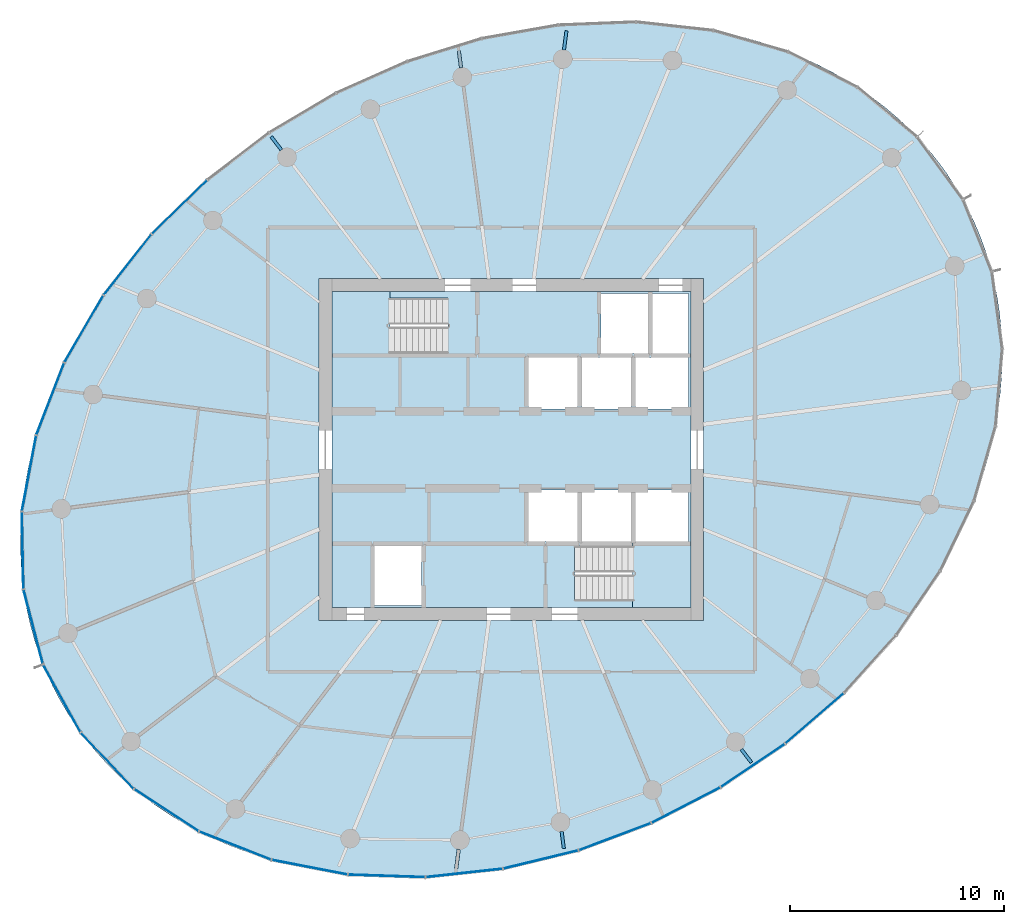
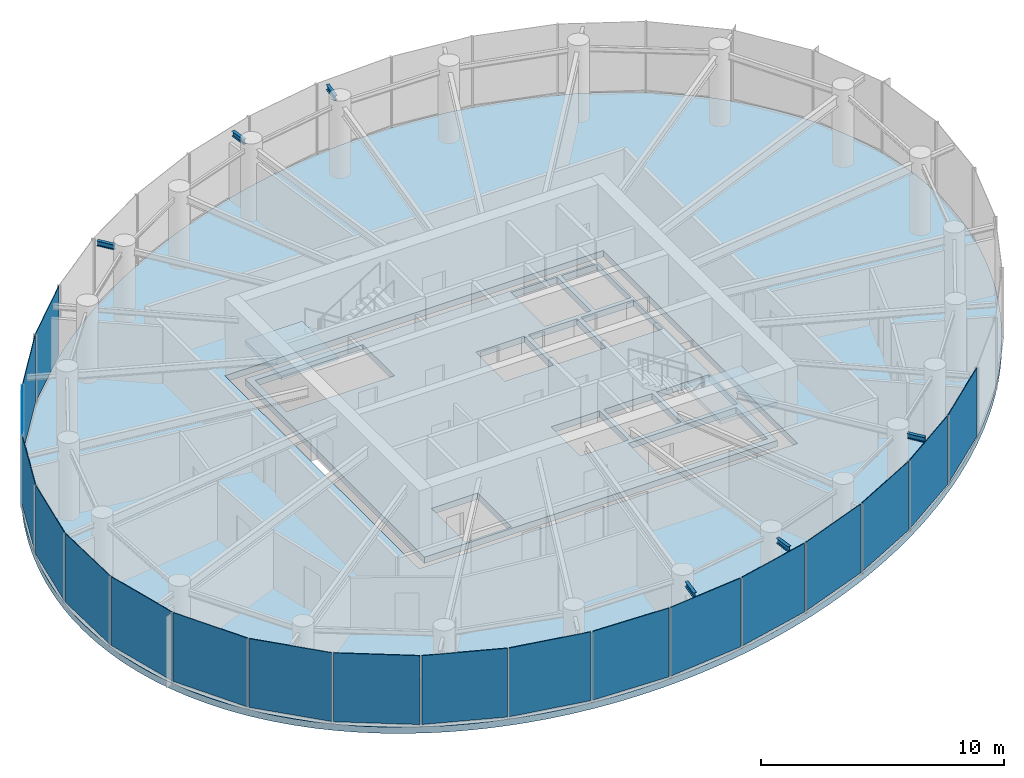
# One storey, part 7 of 13: 19 plates, 6 beams, 4 slabs, 6 elements without a shape of their own.
"""IFC4 building model written with IfcOpenShell, lengths in metres."""

import ifcopenshell
import ifcopenshell.guid

model = None  # the IFC model being written
_history = None  # IfcOwnerHistory: only IFC2X3 demands one
_inside = {}  # id of a spatial element -> (the spatial element, [elements in it])
_under = {}  # id of a project, library or spatial element -> (it, [spatial elements below it])
_declared = {}  # id of a project -> (the project, [libraries it declares])
_typed = {}  # id of a type object -> (the type object, [elements of that type])
_made_of = {}  # id of a material, layer set ... -> (it, [elements and type objects made of it])


def new_model(schema):
    """Start an empty IFC model of exactly this schema.

    Asked for "IFC4X3", IfcOpenShell would pick the latest addendum, in which some entities
    have other attributes; the version numbers below select the first issue.
    IFC2X3 requires an IfcOwnerHistory on every rooted entity: one is made here for all.
    """
    global model, _history
    if schema == "IFC4X3":
        model = ifcopenshell.file(schema_version=(4, 3, 0, 0))
    else:
        model = ifcopenshell.file(schema=schema)
    _inside.clear()
    _under.clear()
    _declared.clear()
    _typed.clear()
    _made_of.clear()
    _history = None
    if model.schema == "IFC2X3":
        org = make("IfcOrganization", Name="unknown")
        user = make(
            "IfcPersonAndOrganization",
            ThePerson=make("IfcPerson", FamilyName="unknown"),
            TheOrganization=org,
        )
        app = make(
            "IfcApplication",
            ApplicationDeveloper=org,
            Version="unknown",
            ApplicationFullName="unknown",
            ApplicationIdentifier="unknown",
        )
        _history = make(
            "IfcOwnerHistory",
            OwningUser=user,
            OwningApplication=app,
            ChangeAction="ADDED",
            CreationDate=0,
        )
    return model


def make(cls, **values):
    """One entity of the class cls with the attributes given. An attribute that is None is left unset."""
    return model.create_entity(
        cls, **{name: value for name, value in values.items() if value is not None}
    )


def rooted(cls, **values):
    """An entity with a GlobalId (a new one), such as an element, a storey or a relation."""
    return make(cls, GlobalId=ifcopenshell.guid.new(), OwnerHistory=_history, **values)


def si_unit(unit_type, name, prefix=None):
    """IfcSIUnit, for example si_unit("LENGTHUNIT", "METRE", prefix="MILLI")."""
    return make("IfcSIUnit", UnitType=unit_type, Prefix=prefix, Name=name)


def assignment(units):
    """IfcUnitAssignment: the units of a project."""
    return None if units is None else make("IfcUnitAssignment", Units=units)


def point(xyz):
    """IfcCartesianPoint."""
    return None if xyz is None else make("IfcCartesianPoint", Coordinates=xyz)


def direction(xyz):
    """IfcDirection."""
    return None if xyz is None else make("IfcDirection", DirectionRatios=xyz)


def frame(location, z_axis=None, x_axis=None):
    """IfcAxis2Placement3D, a coordinate frame: its origin and axes. An axis left out is left unset."""
    return make(
        "IfcAxis2Placement3D",
        Location=point(location),
        Axis=direction(z_axis),
        RefDirection=direction(x_axis),
    )


def frame_2d(location, x_axis=None):
    """IfcAxis2Placement2D, a coordinate frame in the plane: its origin and x axis."""
    return make(
        "IfcAxis2Placement2D", Location=point(location), RefDirection=direction(x_axis)
    )


def origin():
    """The frame at (0, 0, 0) with its axes left unset."""
    return frame((0.0, 0.0, 0.0))


def origin_2d():
    """The frame at (0, 0) in the plane with its x axis left unset."""
    return frame_2d((0.0, 0.0))


def place(relative_to, where):
    """IfcLocalPlacement: puts the frame where relative to a parent placement (None: the world)."""
    return make(
        "IfcLocalPlacement", PlacementRelTo=relative_to, RelativePlacement=where
    )


def context(
    kind, dimensions, precision=None, world=None, true_north=None, identifier=None
):
    """IfcGeometricRepresentationContext, for example the 3D "Model" context."""
    return make(
        "IfcGeometricRepresentationContext",
        ContextIdentifier=identifier,
        ContextType=kind,
        CoordinateSpaceDimension=dimensions,
        Precision=precision,
        WorldCoordinateSystem=world,
        TrueNorth=true_north,
    )


def subcontext(parent, identifier, kind, view, scale=None):
    """IfcGeometricRepresentationSubContext, for example "Body" below "Model"."""
    return make(
        "IfcGeometricRepresentationSubContext",
        ContextIdentifier=identifier,
        ContextType=kind,
        ParentContext=parent,
        TargetScale=scale,
        TargetView=view,
    )


def project(units=None, contexts=None):
    """IfcProject with its units and contexts."""
    return rooted(
        "IfcProject",
        Name="project",
        RepresentationContexts=contexts,
        UnitsInContext=assignment(units),
    )


def spatial(cls, under=None, at=None, **own):
    """A site, building, storey or space (cls), placed at a placement, below another one or the project."""
    s = rooted(cls, ObjectPlacement=at, **own)
    if under is not None:
        _under.setdefault(under.id(), (under, []))[1].append(s)
    return s


def point_list(points):
    """IfcCartesianPointList2D or 3D."""
    cls = (
        "IfcCartesianPointList2D" if len(points[0]) == 2 else "IfcCartesianPointList3D"
    )
    return make(cls, CoordList=points)


def line(*indices):
    """IfcLineIndex: a straight run through numbered points of an indexed curve."""
    return model.create_entity("IfcLineIndex", indices)


def indexed_curve(points, segments=None, self_intersect=None):
    """IfcIndexedPolyCurve: lines and arcs through numbered points (the first is 1)."""
    return make(
        "IfcIndexedPolyCurve",
        Points=point_list(points),
        Segments=segments,
        SelfIntersect=self_intersect,
    )


def profile(cls, at=None, kind="AREA", **sizes):
    """A parametric profile (cls). Its sizes go by their IFC names, for example OverallWidth=200.0."""
    return make(cls, ProfileType=kind, Position=at, **sizes)


def rectangle(**sizes):
    """IfcRectangleProfileDef."""
    return profile("IfcRectangleProfileDef", **sizes)


def i_section(**sizes):
    """IfcIShapeProfileDef."""
    return profile("IfcIShapeProfileDef", **sizes)


def outline(outer, holes=None, kind="AREA"):
    """IfcArbitraryClosedProfileDef: a profile drawn as a closed curve; with holes, ...WithVoids."""
    if holes is None:
        return make("IfcArbitraryClosedProfileDef", ProfileType=kind, OuterCurve=outer)
    return make(
        "IfcArbitraryProfileDefWithVoids",
        ProfileType=kind,
        OuterCurve=outer,
        InnerCurves=holes,
    )


def extrude(swept, where, along, depth):
    """IfcExtrudedAreaSolid: the profile swept, set in the frame where, extruded along a direction by depth."""
    return make(
        "IfcExtrudedAreaSolid",
        SweptArea=swept,
        Position=where,
        ExtrudedDirection=direction(along),
        Depth=depth,
    )


def shape(context_of_items, identifier, shape_type, items):
    """IfcShapeRepresentation: the items that make up one representation, for example the "Body"."""
    return make(
        "IfcShapeRepresentation",
        ContextOfItems=context_of_items,
        RepresentationIdentifier=identifier,
        RepresentationType=shape_type,
        Items=items,
    )


def source(mapping_origin, context_of_items, identifier, shape_type, items):
    """IfcRepresentationMap: a shape defined once, which mapped items show again and again."""
    return make(
        "IfcRepresentationMap",
        MappingOrigin=mapping_origin,
        MappedRepresentation=shape(context_of_items, identifier, shape_type, items),
    )


def transform(
    local_origin,
    x_axis=None,
    y_axis=None,
    z_axis=None,
    scale=None,
    scale2=None,
    scale3=None,
    uniform=True,
):
    """IfcCartesianTransformationOperator3D, or its non-uniform kind. x_axis, y_axis, z_axis: its Axis1, 2, 3."""
    if uniform:
        return make(
            "IfcCartesianTransformationOperator3D",
            Axis1=direction(x_axis),
            Axis2=direction(y_axis),
            LocalOrigin=point(local_origin),
            Scale=scale,
            Axis3=direction(z_axis),
        )
    return make(
        "IfcCartesianTransformationOperator3DnonUniform",
        Axis1=direction(x_axis),
        Axis2=direction(y_axis),
        LocalOrigin=point(local_origin),
        Scale=scale,
        Axis3=direction(z_axis),
        Scale2=scale2,
        Scale3=scale3,
    )


def mapped(mapping_source, mapping_target):
    """IfcMappedItem: shows the shape of a source again, moved by a transform."""
    return make(
        "IfcMappedItem", MappingSource=mapping_source, MappingTarget=mapping_target
    )


def material(Name=None, Category=None):
    """IfcMaterial."""
    return make("IfcMaterial", Name=Name, Category=Category)


def layer(
    of_material, thickness, ventilated=None, Name=None, Category=None, Priority=None
):
    """IfcMaterialLayer: one layer of a wall or slab, of a material (None: an air gap)."""
    return make(
        "IfcMaterialLayer",
        Material=of_material,
        LayerThickness=thickness,
        IsVentilated=ventilated,
        Name=Name,
        Category=Category,
        Priority=Priority,
    )


def layer_set(layers, Name=None):
    """IfcMaterialLayerSet."""
    return make("IfcMaterialLayerSet", MaterialLayers=layers, LayerSetName=Name)


def material_profile(
    of_material, cross_section, Name=None, Category=None, Priority=None
):
    """IfcMaterialProfile: a cross section and its material."""
    return make(
        "IfcMaterialProfile",
        Name=Name,
        Material=of_material,
        Profile=cross_section,
        Priority=Priority,
        Category=Category,
    )


def profile_set(profiles, Name=None, composite=None):
    """IfcMaterialProfileSet."""
    return make(
        "IfcMaterialProfileSet",
        Name=Name,
        MaterialProfiles=profiles,
        CompositeProfile=composite,
    )


def made_of(thing, what):
    """Note that an element or type object is made of a material, layer set ...; save() writes the relation."""
    if what is not None:
        _made_of.setdefault(what.id(), (what, []))[1].append(thing)
    return thing


def type_object(cls, material=None, **own):
    """A type object (cls), such as IfcWallType, which elements share."""
    return made_of(rooted(cls, **own), material)


def element(
    cls,
    number,
    at=None,
    inside=None,
    cuts=None,
    type_object=None,
    material=None,
    context=None,
    identifier="Body",
    shape_type=None,
    held_by="IfcProductDefinitionShape",
    body=None,
    shapes=None,
    **own,
):
    """One element of the class cls, such as IfcWall. Its Tag is "e" and its number.

    at: its placement. inside: the storey or other place that contains it. cuts: it is an
    opening in that element (IfcRelVoidsElement). A single representation is given by context,
    identifier, shape_type and body (its items); several are given by shapes. held_by: the class
    of the entity that holds the representations. save() writes the other relations.
    """
    e = rooted(cls, Tag="e%d" % number, ObjectPlacement=at, **own)
    if body is not None:
        shapes = [shape(context, identifier, shape_type, body)]
    if shapes is not None:
        e.Representation = make(held_by, Representations=shapes)
    if inside is not None:
        _inside.setdefault(inside.id(), (inside, []))[1].append(e)
    if cuts is not None:
        rooted(
            "IfcRelVoidsElement", RelatingBuildingElement=cuts, RelatedOpeningElement=e
        )
    if type_object is not None:
        _typed.setdefault(type_object.id(), (type_object, []))[1].append(e)
    return made_of(e, material)


def aggregate(whole, parts):
    """IfcRelAggregates: a whole, such as a stair, and the parts it consists of."""
    return rooted("IfcRelAggregates", RelatingObject=whole, RelatedObjects=parts)


def save(model, path):
    """Write the relations noted so far, then the file.

    IfcRelAggregates (storeys below a building ...), IfcRelContainedInSpatialStructure (elements
    in a storey), IfcRelDefinesByType, IfcRelAssociatesMaterial and IfcRelDeclares: one each for
    every whole, place, type object, material and project.
    """
    for whole, parts in _under.values():
        aggregate(whole, parts)
    for where, things in _inside.values():
        rooted(
            "IfcRelContainedInSpatialStructure",
            RelatedElements=things,
            RelatingStructure=where,
        )
    for kind, things in _typed.values():
        rooted("IfcRelDefinesByType", RelatedObjects=things, RelatingType=kind)
    for what, things in _made_of.values():
        rooted("IfcRelAssociatesMaterial", RelatedObjects=things, RelatingMaterial=what)
    for by, libraries in _declared.values():
        rooted("IfcRelDeclares", RelatingContext=by, RelatedDefinitions=libraries)
    model.write(path)


model = new_model("IFC4")

# Units and contexts
model_context = context("Model", 3, precision=1e-05, world=origin(), true_north=direction((0.0, 1.0)))
body_context = subcontext(model_context, "Body", "Model", "MODEL_VIEW")
ifc_project = project(units=[si_unit("LENGTHUNIT", "METRE"), si_unit("AREAUNIT", "SQUARE_METRE"), si_unit("VOLUMEUNIT", "CUBIC_METRE"), si_unit("PLANEANGLEUNIT", "RADIAN"), si_unit("MASSUNIT", "GRAM", prefix="KILO")], contexts=[model_context])

# Site, building, storey
site_placement = place(None, origin())
site = spatial("IfcSite", under=ifc_project, at=site_placement, CompositionType="ELEMENT")
building_placement = place(site_placement, origin())
building = spatial("IfcBuilding", under=site, at=building_placement, Name="Spindrift Exchange Tower", CompositionType="ELEMENT")
storey_placement = place(building_placement, frame((0.0, 0.0, 218.89990234375)))
storey = spatial("IfcBuildingStorey", under=building, at=storey_placement, Name="L53", CompositionType="ELEMENT", Elevation=218.89990234375)

# Beams
ifc_material_1 = material(Name="Steel Grade 300", Category="steel")
ifc_material_profile = material_profile(ifc_material_1, i_section(OverallWidth=0.14599609375, OverallDepth=0.251953125, WebThickness=0.006103515625, FlangeThickness=0.008544921875, FilletRadius=0.011962890625, at=origin_2d()), Name="250UB31.4")
ifc_profile_set = profile_set([ifc_material_profile], Name="Steel Grade 300")
beam_type = type_object("IfcBeamType", Name="Cantilever Beam 250UB31.4 Steel Grade 300", PredefinedType="BEAM", material=ifc_profile_set)
shared_shape_1 = source(origin(), body_context, "Body", "SweptSolid", [
    extrude(i_section(OverallWidth=0.14599609375, OverallDepth=0.251953125, WebThickness=0.006103515625, FlangeThickness=0.008544921875, FilletRadius=0.011962890625, at=origin_2d()), origin(), (0.0, 0.0, 1.0), 0.78466796875),
])
for number, where, z_axis, x_axis, name in (
    (1, (41.239013671875, 62.024169921875, 3.4541015625), (-0.608823338333, 0.793305831758, 0.0), (-0.793305831758, -0.608823338333, 0.0), "L53 cantilever beam R09T"),
    (2, (62.760986328125, 33.975830078125, 3.4541015625), (0.608823338333, -0.793305831758, 0.0), (0.793305831758, 0.608823338333, 0.0), "L53 cantilever beam R21T"),
):
    element("IfcBeam", number, at=place(storey_placement, frame(where, z_axis=z_axis, x_axis=x_axis)), inside=storey, type_object=beam_type, Name=name, PredefinedType="BEAM", context=body_context, shape_type="MappedRepresentation", body=[
        mapped(shared_shape_1, transform((0.0, 0.0, 0.0), scale=1.0)),
    ])
shared_shape_2 = source(origin(), body_context, "Body", "SweptSolid", [
    extrude(i_section(OverallWidth=0.14599609375, OverallDepth=0.251953125, WebThickness=0.006103515625, FlangeThickness=0.008544921875, FilletRadius=0.011962890625, at=origin_2d()), origin(), (0.0, 0.0, 1.0), 0.9072265625),
])
for number, where, z_axis, x_axis, name in (
    (3, (54.46240234375, 66.70458984375, 3.4541015625), (0.130524128538, 0.991445133061, 0.0), (-0.991445133061, 0.130524128538, 0.0), "L53 cantilever beam R06T"),
    (4, (49.53759765625, 29.29541015625, 3.4541015625), (-0.130524128538, -0.991445133061, 0.0), (0.991445133061, -0.130524128538, 0.0), "L53 cantilever beam R18T"),
):
    element("IfcBeam", number, at=place(storey_placement, frame(where, z_axis=z_axis, x_axis=x_axis)), inside=storey, type_object=beam_type, Name=name, PredefinedType="BEAM", context=body_context, shape_type="MappedRepresentation", body=[
        mapped(shared_shape_2, transform((0.0, 0.0, 0.0), scale=1.0)),
    ])
shared_shape_3 = source(origin(), body_context, "Body", "SweptSolid", [
    extrude(i_section(OverallWidth=0.14599609375, OverallDepth=0.251953125, WebThickness=0.006103515625, FlangeThickness=0.008544921875, FilletRadius=0.011962890625, at=origin_2d()), origin(), (0.0, 0.0, 1.0), 0.808837890625),
])
for number, where, z_axis, x_axis, name in (
    (5, (49.6474609375, 65.868896484375, 3.4541015625), (-0.130384246171, 0.991463538589, 0.0), (-0.991463538589, -0.130384246171, 0.0), "L53 cantilever beam R07T"),
    (6, (54.3525390625, 30.131103515625, 3.4541015625), (0.130384246171, -0.991463538589, 0.0), (0.991463538589, 0.130384246171, 0.0), "L53 cantilever beam R19T"),
):
    element("IfcBeam", number, at=place(storey_placement, frame(where, z_axis=z_axis, x_axis=x_axis)), inside=storey, type_object=beam_type, Name=name, PredefinedType="BEAM", context=body_context, shape_type="MappedRepresentation", body=[
        mapped(shared_shape_3, transform((0.0, 0.0, 0.0), scale=1.0)),
    ])

# Slabs
ifc_material_2 = material(Name="Concrete 40 MPa", Category="concrete")
ifc_layer_1 = layer(ifc_material_2, 0.320068359375)
ifc_layer_set_1 = layer_set([ifc_layer_1], Name="RC Floor Slab 320 Concrete 40 MPa")
slab_type_1 = type_object("IfcSlabType", Name="RC Floor Slab 320 Concrete 40 MPa", PredefinedType="FLOOR", material=ifc_layer_set_1)
slab_1_placement = place(storey_placement, frame((0.0, 0.0, -0.31982421875)))
element("IfcSlab", 7, at=slab_1_placement, inside=storey, type_object=slab_type_1, Name="Floor slab L53", PredefinedType="FLOOR", context=body_context, shape_type="SweptSolid", body=[
    extrude(outline(indexed_curve([(73.1376953125, 59.701904296875), (72.7578125, 60.347412109375), (72.344482421875, 60.972412109375), (72.1259765625, 61.276611328125), (71.665283203125, 61.867431640625), (71.423828125, 62.15380859375), (70.91943359375, 62.707763671875), (70.3876953125, 63.235595703125), (70.1123046875, 63.4892578125), (69.543212890625, 63.976318359375), (68.951171875, 64.435546875), (68.647216796875, 64.654541015625), (68.024658203125, 65.0712890625), (67.3837890625, 65.45947265625), (67.05712890625, 65.642578125), (66.392333984375, 65.98779296875), (65.71337890625, 66.3046875), (65.369140625, 66.452392578125), (64.672119140625, 66.72705078125), (63.96484375, 66.97412109375), (63.607666015625, 67.08740234375), (62.887451171875, 67.293701171875), (62.524658203125, 67.38671875), (61.794189453125, 67.553466796875), (61.427001953125, 67.627197265625), (60.688720703125, 67.75537109375), (60.318115234375, 67.81005859375), (59.57470703125, 67.90087890625), (58.828369140625, 67.9677734375), (58.45458984375, 67.9921875), (58.080322265625, 68.010986328125), (57.33154296875, 68.031005859375), (56.956787109375, 68.03271484375), (56.207763671875, 68.01904296875), (55.45947265625, 67.983642578125), (55.085693359375, 67.957763671875), (54.71240234375, 67.9267578125), (53.96728515625, 67.84912109375), (53.595458984375, 67.802490234375), (52.854248046875, 67.6943359375), (51.748291015625, 67.4951171875), (50.65087890625, 67.252685546875), (49.563720703125, 66.96826171875), (48.488037109375, 66.642822265625), (47.42529296875, 66.27783203125), (46.37646484375, 65.8740234375), (45.685791015625, 65.583740234375), (45.002197265625, 65.277099609375), (43.9912109375, 64.786376953125), (42.99853515625, 64.259765625), (42.025390625, 63.697998046875), (41.387939453125, 63.30419921875), (40.760009765625, 62.895263671875), (39.83740234375, 62.25390625), (38.9384765625, 61.57958984375), (38.06494140625, 60.87255859375), (37.21826171875, 60.133544921875), (36.39990234375, 59.36328125), (35.612060546875, 58.56201171875), (34.85595703125, 57.730712890625), (34.370849609375, 57.15966796875), (34.134033203125, 56.869384765625), (33.9013671875, 56.575927734375), (33.4482421875, 55.979248046875), (33.22802734375, 55.67626953125), (32.80078125, 55.060791015625), (32.3916015625, 54.43310546875), (32.194091796875, 54.11474609375), (31.8134765625, 53.469482421875), (31.630615234375, 53.142578125), (31.28076171875, 52.47998046875), (31.113525390625, 52.144775390625), (30.7958984375, 51.46630859375), (30.6455078125, 51.123291015625), (30.3623046875, 50.4296875), (30.229736328125, 50.0791015625), (29.9833984375, 49.37158203125), (29.86962890625, 49.014892578125), (29.662109375, 48.294921875), (29.568603515625, 47.93212890625), (29.40234375, 47.20166015625), (29.26513671875, 46.465087890625), (29.207763671875, 46.094970703125), (29.11572265625, 45.3515625), (29.055419921875, 44.604736328125), (29.037353515625, 44.230712890625), (29.026123046875, 43.4814453125), (29.048583984375, 42.732666015625), (29.072998046875, 42.35888671875), (29.14794921875, 41.613525390625), (29.258544921875, 40.87255859375), (29.327392578125, 40.50439453125), (29.492431640625, 39.773681640625), (29.694091796875, 39.052001953125), (29.80859375, 38.6953125), (30.064697265625, 37.991455078125), (30.357421875, 37.3017578125), (30.516845703125, 36.962890625), (30.8623046875, 36.298095703125), (31.2421875, 35.652587890625), (31.655517578125, 35.027587890625), (31.8740234375, 34.723388671875), (32.334716796875, 34.132568359375), (32.576171875, 33.84619140625), (33.08056640625, 33.292236328125), (33.6123046875, 32.764404296875), (33.8876953125, 32.5107421875), (34.456787109375, 32.023681640625), (35.048828125, 31.564453125), (35.352783203125, 31.345458984375), (35.975341796875, 30.9287109375), (36.6162109375, 30.54052734375), (36.94287109375, 30.357421875), (37.607666015625, 30.01220703125), (38.28662109375, 29.6953125), (38.630859375, 29.547607421875), (39.327880859375, 29.27294921875), (40.03515625, 29.02587890625), (40.392333984375, 28.91259765625), (41.112548828125, 28.706298828125), (41.475341796875, 28.61328125), (42.205810546875, 28.446533203125), (42.572998046875, 28.372802734375), (43.311279296875, 28.24462890625), (43.681884765625, 28.18994140625), (44.42529296875, 28.09912109375), (45.171630859375, 28.0322265625), (45.54541015625, 28.0078125), (45.919677734375, 27.989013671875), (46.66845703125, 27.968994140625), (47.043212890625, 27.96728515625), (47.792236328125, 27.98095703125), (48.54052734375, 28.016357421875), (48.914306640625, 28.042236328125), (49.28759765625, 28.0732421875), (50.03271484375, 28.15087890625), (50.404541015625, 28.197509765625), (51.145751953125, 28.3056640625), (52.251708984375, 28.5048828125), (53.34912109375, 28.747314453125), (54.436279296875, 29.03173828125), (55.511962890625, 29.357177734375), (56.57470703125, 29.72216796875), (57.62353515625, 30.1259765625), (58.314208984375, 30.416259765625), (58.997802734375, 30.722900390625), (60.0087890625, 31.213623046875), (61.00146484375, 31.740234375), (61.974609375, 32.302001953125), (62.612060546875, 32.69580078125), (63.239990234375, 33.104736328125), (64.16259765625, 33.74609375), (65.0615234375, 34.42041015625), (65.93505859375, 35.12744140625), (66.78173828125, 35.866455078125), (67.60009765625, 36.63671875), (68.387939453125, 37.43798828125), (69.14404296875, 38.269287109375), (69.629150390625, 38.84033203125), (69.865966796875, 39.130615234375), (70.0986328125, 39.424072265625), (70.5517578125, 40.020751953125), (70.77197265625, 40.32373046875), (71.19921875, 40.939208984375), (71.6083984375, 41.56689453125), (71.805908203125, 41.88525390625), (72.1865234375, 42.530517578125), (72.369384765625, 42.857421875), (72.71923828125, 43.52001953125), (72.886474609375, 43.855224609375), (73.2041015625, 44.53369140625), (73.3544921875, 44.876708984375), (73.6376953125, 45.5703125), (73.770263671875, 45.9208984375), (74.0166015625, 46.62841796875), (74.13037109375, 46.985107421875), (74.337890625, 47.705078125), (74.431396484375, 48.06787109375), (74.59765625, 48.79833984375), (74.73486328125, 49.534912109375), (74.792236328125, 49.905029296875), (74.88427734375, 50.6484375), (74.944580078125, 51.395263671875), (74.962646484375, 51.769287109375), (74.973876953125, 52.5185546875), (74.951416015625, 53.267333984375), (74.927001953125, 53.64111328125), (74.85205078125, 54.386474609375), (74.741455078125, 55.12744140625), (74.672607421875, 55.49560546875), (74.507568359375, 56.226318359375), (74.305908203125, 56.947998046875), (74.19140625, 57.3046875), (73.935302734375, 58.008544921875), (73.642578125, 58.6982421875), (73.483154296875, 59.037109375)], segments=[line(1, 2, 3, 4, 5, 6, 7, 8, 9, 10, 11, 12, 13, 14, 15, 16, 17, 18, 19, 20, 21, 22, 23, 24, 25, 26, 27, 28, 29, 30, 31, 32, 33, 34, 35, 36, 37, 38, 39, 40, 41, 42, 43, 44, 45, 46, 47, 48, 49, 50, 51, 52, 53, 54, 55, 56, 57, 58, 59, 60, 61, 62, 63, 64, 65, 66, 67, 68, 69, 70, 71, 72, 73, 74, 75, 76, 77, 78, 79, 80, 81, 82, 83, 84, 85, 86, 87, 88, 89, 90, 91, 92, 93, 94, 95, 96, 97, 98, 99, 100, 101, 102, 103, 104, 105, 106, 107, 108, 109, 110, 111, 112, 113, 114, 115, 116, 117, 118, 119, 120, 121, 122, 123, 124, 125, 126, 127, 128, 129, 130, 131, 132, 133, 134, 135, 136, 137, 138, 139, 140, 141, 142, 143, 144, 145, 146, 147, 148, 149, 150, 151, 152, 153, 154, 155, 156, 157, 158, 159, 160, 161, 162, 163, 164, 165, 166, 167, 168, 169, 170, 171, 172, 173, 174, 175, 176, 177, 178, 179, 180, 181, 182, 183, 184, 185, 186, 187, 188, 189, 190, 191, 192, 193, 194, 195, 196, 1)], self_intersect=False), holes=[indexed_curve([(43.0, 40.0), (61.0, 40.0), (61.0, 56.0), (43.0, 56.0)], segments=[line(1, 2, 3, 4, 1)], self_intersect=False)]), origin(), (0.0, 0.0, 1.0), 0.31982421875),
])
ifc_material_3 = material(Name="Concrete 50 MPa", Category="concrete")
ifc_layer_2 = layer(ifc_material_3, 0.320068359375)
ifc_layer_set_2 = layer_set([ifc_layer_2], Name="SL-CORE-FLOOR-320")
slab_type_2 = type_object("IfcSlabType", Name="SL-CORE-FLOOR-320", PredefinedType="FLOOR", material=ifc_layer_set_2)
slab_2_placement = place(storey_placement, frame((0.0, 0.0, -0.31982421875)))
element("IfcSlab", 8, at=slab_2_placement, inside=storey, type_object=slab_type_2, Name="L53 Core floor slab", PredefinedType="FLOOR", context=body_context, shape_type="SweptSolid", body=[
    extrude(outline(indexed_curve([(43.60009765625, 40.60009765625), (43.60009765625, 55.39990234375), (60.39990234375, 55.39990234375), (60.39990234375, 40.60009765625)], segments=[line(1, 2, 3, 4, 1)], self_intersect=False), holes=[indexed_curve([(45.60009765625, 43.5), (45.60009765625, 40.699951171875), (47.800048828125, 40.699951171875), (47.800048828125, 43.5)], segments=[line(1, 2, 3, 4, 1)], self_intersect=False), indexed_curve([(52.800048828125, 46.10009765625), (52.800048828125, 43.699951171875), (55.10009765625, 43.699951171875), (55.10009765625, 46.10009765625)], segments=[line(1, 2, 3, 4, 1)], self_intersect=False), indexed_curve([(55.300048828125, 46.10009765625), (55.300048828125, 43.699951171875), (57.60009765625, 43.699951171875), (57.60009765625, 46.10009765625)], segments=[line(1, 2, 3, 4, 1)], self_intersect=False), indexed_curve([(55.10009765625, 52.300048828125), (52.800048828125, 52.300048828125), (52.800048828125, 49.89990234375), (55.10009765625, 49.89990234375)], segments=[line(1, 2, 3, 4, 1)], self_intersect=False), indexed_curve([(57.60009765625, 52.300048828125), (55.300048828125, 52.300048828125), (55.300048828125, 49.89990234375), (57.60009765625, 49.89990234375)], segments=[line(1, 2, 3, 4, 1)], self_intersect=False), indexed_curve([(43.906005859375, 52.506103515625), (49.0439453125, 52.506103515625), (49.0439453125, 55.093994140625), (43.906005859375, 55.093994140625)], segments=[line(1, 2, 3, 4, 1)], self_intersect=False), indexed_curve([(60.093994140625, 40.906005859375), (60.093994140625, 43.493896484375), (54.9560546875, 43.493896484375), (54.9560546875, 40.906005859375)], segments=[line(1, 2, 3, 4, 1)], self_intersect=False), indexed_curve([(60.300048828125, 46.10009765625), (57.800048828125, 46.10009765625), (57.800048828125, 43.699951171875), (60.300048828125, 43.699951171875)], segments=[line(1, 2, 3, 4, 1)], self_intersect=False), indexed_curve([(57.800048828125, 52.300048828125), (57.800048828125, 49.89990234375), (60.300048828125, 49.89990234375), (60.300048828125, 52.300048828125)], segments=[line(1, 2, 3, 4, 1)], self_intersect=False), indexed_curve([(58.39990234375, 55.300048828125), (56.199951171875, 55.300048828125), (56.199951171875, 52.5), (58.39990234375, 52.5)], segments=[line(1, 2, 3, 4, 1)], self_intersect=False), indexed_curve([(60.300048828125, 55.300048828125), (58.60009765625, 55.300048828125), (58.60009765625, 52.5), (60.300048828125, 52.5)], segments=[line(1, 2, 3, 4, 1)], self_intersect=False)]), origin(), (0.0, 0.0, 1.0), 0.31982421875),
])

# Stair, slab
stair_type = type_object("IfcStairType", Name="ST-1250-R177", PredefinedType="HALF_TURN_STAIR", material=ifc_material_3)
stair_1_placement = place(storey_placement, origin())
stair_1 = element("IfcStair", 9, at=stair_1_placement, inside=storey, type_object=stair_type, Name="L53 Exit stair ST1", PredefinedType="HALF_TURN_STAIR")
ifc_layer_3 = layer(ifc_material_3, 0.199951171875)
ifc_layer_set_3 = layer_set([ifc_layer_3], Name="SL-LANDING")
slab_type_3 = type_object("IfcSlabType", Name="SL-LANDING", PredefinedType="LANDING", material=ifc_layer_set_3)
slab_3_placement = place(storey_placement, frame((0.0, 0.0, 1.75)))
slab_3 = element("IfcSlab", 10, at=slab_3_placement, type_object=slab_type_3, Name="ST1 landing 1", PredefinedType="LANDING", context=body_context, shape_type="SweptSolid", body=[
    extrude(outline(indexed_curve([(46.330078125, 52.39990234375), (43.60009765625, 52.39990234375), (43.60009765625, 55.39990234375), (46.330078125, 55.39990234375)], segments=[line(1, 2, 3, 4, 1)], self_intersect=False)), origin(), (0.0, 0.0, 1.0), 0.2001953125),
])
aggregate(stair_1, [slab_3])

stair_2_placement = place(storey_placement, origin())
stair_2 = element("IfcStair", 11, at=stair_2_placement, inside=storey, type_object=stair_type, Name="L53 Exit stair ST2", PredefinedType="HALF_TURN_STAIR")
slab_4_placement = place(storey_placement, frame((0.0, 0.0, 1.75)))
slab_4 = element("IfcSlab", 12, at=slab_4_placement, type_object=slab_type_3, Name="ST2 landing 1", PredefinedType="LANDING", context=body_context, shape_type="SweptSolid", body=[
    extrude(outline(indexed_curve([(57.669921875, 43.60009765625), (60.39990234375, 43.60009765625), (60.39990234375, 40.60009765625), (57.669921875, 40.60009765625)], segments=[line(1, 2, 3, 4, 1)], self_intersect=False)), origin(), (0.0, 0.0, 1.0), 0.2001953125),
])
aggregate(stair_2, [slab_4])

# Curtain wall, plates
ifc_material_4 = material(Name="Fritted laminated glass with bronze frame", Category="glass")
ifc_layer_4 = layer(ifc_material_4, 0.169921875)
ifc_layer_set_4 = layer_set([ifc_layer_4], Name="ZONE 4 BRONZE FRITTED WALL")
curtain_wall_type = type_object("IfcCurtainWallType", Name="ZONE 4 BRONZE FRITTED WALL", PredefinedType="NOTDEFINED", material=ifc_layer_set_4)
curtain_wall_1_placement = place(storey_placement, origin())
curtain_wall_1 = element("IfcCurtainWall", 13, at=curtain_wall_1_placement, inside=storey, type_object=curtain_wall_type, Name="L53 Zone 4 Bronze Fritted Wall run 5", PredefinedType="NOTDEFINED")
ifc_material_5 = material(Name="Bronze fritted laminated glass, open frit", Category="glass")
ifc_layer_5 = layer(ifc_material_5, 0.030029296875)
ifc_layer_set_5 = layer_set([ifc_layer_5], Name="ZONE 4 BRONZE FRITTED WALL PANEL OPEN FRIT 360")
plate_type_1 = type_object("IfcPlateType", Name="ZONE 4 BRONZE FRITTED WALL PANEL OPEN FRIT 360", PredefinedType="CURTAIN_PANEL", material=ifc_layer_set_5)
shared_shape_4 = source(origin(), body_context, "Body", "SweptSolid", [
    extrude(rectangle(XDim=3.577880859375, YDim=0.030029296875, at=origin_2d()), origin(), (0.0, 0.0, 1.0), 3.455078125),
])
plate_1_placement = place(storey_placement, frame((56.85009765625, 29.881591796875, 0.125), z_axis=(0.0, 0.0, 1.0), x_axis=(0.936141796794, 0.351622718684, 0.0)))
plate_1 = element("IfcPlate", 14, at=plate_1_placement, type_object=plate_type_1, Name="L53 panel CW-4.27", PredefinedType="CURTAIN_PANEL", context=body_context, shape_type="MappedRepresentation", body=[
    mapped(shared_shape_4, transform((0.0, 0.0, 0.0), scale=1.0)),
])
plate_2_placement = place(storey_placement, frame((63.302490234375, 33.211181640625, 0.125), z_axis=(0.0, 0.0, 1.0), x_axis=(0.829282462905, 0.558829666999, 0.0)))
plate_2 = element("IfcPlate", 15, at=plate_2_placement, type_object=plate_type_1, Name="L53 panel CW-4.29", PredefinedType="CURTAIN_PANEL", context=body_context, shape_type="MappedRepresentation", body=[
    mapped(shared_shape_4, transform((0.0, 0.0, 0.0), scale=1.0)),
])
ifc_layer_6 = layer(ifc_material_5, 0.030029296875)
ifc_layer_set_6 = layer_set([ifc_layer_6], Name="ZONE 4 BRONZE FRITTED WALL PANEL OPEN FRIT 480")
plate_type_2 = type_object("IfcPlateType", Name="ZONE 4 BRONZE FRITTED WALL PANEL OPEN FRIT 480", PredefinedType="CURTAIN_PANEL", material=ifc_layer_set_6)
shared_shape_5 = source(origin(), body_context, "Body", "SweptSolid", [
    extrude(rectangle(XDim=3.577880859375, YDim=0.030029296875, at=origin_2d()), origin(), (0.0, 0.0, 1.0), 3.455078125),
])
plate_3_placement = place(storey_placement, frame((60.173583984375, 31.357666015625, 0.125), z_axis=(0.0, 0.0, 1.0), x_axis=(0.888571600072, 0.458737955205, 0.0)))
plate_3 = element("IfcPlate", 16, at=plate_3_placement, type_object=plate_type_2, Name="L53 panel CW-4.28", PredefinedType="CURTAIN_PANEL", context=body_context, shape_type="MappedRepresentation", body=[
    mapped(shared_shape_5, transform((0.0, 0.0, 0.0), scale=1.0)),
])
shared_shape_6 = source(origin(), body_context, "Body", "SweptSolid", [
    extrude(rectangle(XDim=3.5771484375, YDim=0.030029296875, at=origin_2d()), origin(), (0.0, 0.0, 1.0), 3.455078125),
])
plate_4_placement = place(storey_placement, frame((49.794921875, 28.185302734375, 0.125), z_axis=(0.0, 0.0, 1.0), x_axis=(0.994107719343, 0.108396689723, 0.0)))
plate_4 = element("IfcPlate", 17, at=plate_4_placement, type_object=plate_type_1, Name="L53 panel CW-4.25", PredefinedType="CURTAIN_PANEL", context=body_context, shape_type="MappedRepresentation", body=[
    mapped(shared_shape_6, transform((0.0, 0.0, 0.0), scale=1.0)),
])

# Curtain wall, plate
curtain_wall_2_placement = place(storey_placement, origin())
curtain_wall_2 = element("IfcCurtainWall", 18, at=curtain_wall_2_placement, inside=storey, type_object=curtain_wall_type, Name="L53 Zone 4 Bronze Fritted Wall run 4", PredefinedType="NOTDEFINED")
ifc_layer_7 = layer(ifc_material_5, 0.030029296875)
ifc_layer_set_7 = layer_set([ifc_layer_7], Name="ZONE 4 BRONZE FRITTED WALL PANEL OPEN FRIT 600")
plate_type_3 = type_object("IfcPlateType", Name="ZONE 4 BRONZE FRITTED WALL PANEL OPEN FRIT 600", PredefinedType="CURTAIN_PANEL", material=ifc_layer_set_7)
shared_shape_7 = source(origin(), body_context, "Body", "SweptSolid", [
    extrude(rectangle(XDim=3.57080078125, YDim=0.030029296875, at=origin_2d()), origin(), (0.0, 0.0, 1.0), 3.455078125),
])
plate_5_placement = place(storey_placement, frame((33.091796875, 33.442138671875, 0.125), z_axis=(0.0, 0.0, 1.0), x_axis=(0.686403694494, -0.727220714903, 0.0)))
plate_5 = element("IfcPlate", 19, at=plate_5_placement, type_object=plate_type_3, Name="L53 panel CW-4.20", PredefinedType="CURTAIN_PANEL", context=body_context, shape_type="MappedRepresentation", body=[
    mapped(shared_shape_7, transform((0.0, 0.0, 0.0), scale=1.0)),
])

# Curtain wall, plates
curtain_wall_3_placement = place(storey_placement, origin())
curtain_wall_3 = element("IfcCurtainWall", 20, at=curtain_wall_3_placement, inside=storey, type_object=curtain_wall_type, Name="L53 Zone 4 Bronze Fritted Wall run 3", PredefinedType="NOTDEFINED")
shared_shape_8 = source(origin(), body_context, "Body", "SweptSolid", [
    extrude(rectangle(XDim=3.57080078125, YDim=0.030029296875, at=origin_2d()), origin(), (0.0, 0.0, 1.0), 3.455078125),
])
plate_6_placement = place(storey_placement, frame((29.62548828125, 39.70361328125, 0.125), z_axis=(0.0, 0.0, 1.0), x_axis=(0.251940994221, -0.967742597714, 0.0)))
plate_6 = element("IfcPlate", 21, at=plate_6_placement, type_object=plate_type_2, Name="L53 panel CW-4.18", PredefinedType="CURTAIN_PANEL", context=body_context, shape_type="MappedRepresentation", body=[
    mapped(shared_shape_8, transform((0.0, 0.0, 0.0), scale=1.0)),
])
shared_shape_9 = source(origin(), body_context, "Body", "SweptSolid", [
    extrude(rectangle(XDim=3.572509765625, YDim=0.030029296875, at=origin_2d()), origin(), (0.0, 0.0, 1.0), 3.455078125),
])
plate_7_placement = place(storey_placement, frame((29.129638671875, 43.28125, 0.125), z_axis=(0.0, 0.0, 1.0), x_axis=(0.020811548719, -0.999783416266, 0.0)))
plate_7 = element("IfcPlate", 22, at=plate_7_placement, type_object=plate_type_2, Name="L53 panel CW-4.17", PredefinedType="CURTAIN_PANEL", context=body_context, shape_type="MappedRepresentation", body=[
    mapped(shared_shape_9, transform((0.0, 0.0, 0.0), scale=1.0)),
])

# Plate
shared_shape_10 = source(origin(), body_context, "Body", "SweptSolid", [
    extrude(rectangle(XDim=3.575439453125, YDim=0.030029296875, at=origin_2d()), origin(), (0.0, 0.0, 1.0), 3.455078125),
])
plate_8_placement = place(storey_placement, frame((42.557861328125, 28.4541015625, 0.125), z_axis=(0.0, 0.0, 1.0), x_axis=(0.981720313094, -0.190329259073, 0.0)))
plate_8 = element("IfcPlate", 23, at=plate_8_placement, type_object=plate_type_1, Name="L53 panel CW-4.23", PredefinedType="CURTAIN_PANEL", context=body_context, shape_type="MappedRepresentation", body=[
    mapped(shared_shape_10, transform((0.0, 0.0, 0.0), scale=1.0)),
])

shared_shape_11 = source(origin(), body_context, "Body", "SweptSolid", [
    extrude(rectangle(XDim=3.5771484375, YDim=0.030029296875, at=origin_2d()), origin(), (0.0, 0.0, 1.0), 3.455078125),
])
plate_9_placement = place(storey_placement, frame((34.037109375, 56.6494140625, 0.125), z_axis=(0.0, 0.0, 1.0), x_axis=(-0.619555746733, -0.784952658884, 0.0)))
plate_9 = element("IfcPlate", 24, at=plate_9_placement, type_object=plate_type_2, Name="L53 panel CW-4.13", PredefinedType="CURTAIN_PANEL", context=body_context, shape_type="MappedRepresentation", body=[
    mapped(shared_shape_11, transform((0.0, 0.0, 0.0), scale=1.0)),
])

shared_shape_12 = source(origin(), body_context, "Body", "SweptSolid", [
    extrude(rectangle(XDim=3.577392578125, YDim=0.030029296875, at=origin_2d()), origin(), (0.0, 0.0, 1.0), 3.455078125),
])
plate_10_placement = place(storey_placement, frame((53.375, 28.81201171875, 0.125), z_axis=(0.0, 0.0, 1.0), x_axis=(0.971834868135, 0.235662871657, 0.0)))
plate_10 = element("IfcPlate", 25, at=plate_10_placement, type_object=plate_type_2, Name="L53 panel CW-4.26", PredefinedType="CURTAIN_PANEL", context=body_context, shape_type="MappedRepresentation", body=[
    mapped(shared_shape_12, transform((0.0, 0.0, 0.0), scale=1.0)),
])

shared_shape_13 = source(origin(), body_context, "Body", "SweptSolid", [
    extrude(rectangle(XDim=3.57763671875, YDim=0.030029296875, at=origin_2d()), origin(), (0.0, 0.0, 1.0), 3.455078125),
])
plate_11_placement = place(storey_placement, frame((66.19189453125, 35.418701171875, 0.125), z_axis=(0.0, 0.0, 1.0), x_axis=(0.757161534451, 0.653227686758, 0.0)))
plate_11 = element("IfcPlate", 26, at=plate_11_placement, type_object=plate_type_3, Name="L53 panel CW-4.30", PredefinedType="CURTAIN_PANEL", context=body_context, shape_type="MappedRepresentation", body=[
    mapped(shared_shape_13, transform((0.0, 0.0, 0.0), scale=1.0)),
])

aggregate(curtain_wall_1, [plate_4, plate_10, plate_1, plate_3, plate_2, plate_11])

# Curtain wall, plate
curtain_wall_4_placement = place(storey_placement, origin())
curtain_wall_4 = element("IfcCurtainWall", 27, at=curtain_wall_4_placement, inside=storey, type_object=curtain_wall_type, Name="L53 Zone 4 Bronze Fritted Wall run 2", PredefinedType="NOTDEFINED")
shared_shape_14 = source(origin(), body_context, "Body", "SweptSolid", [
    extrude(rectangle(XDim=3.577392578125, YDim=0.030029296875, at=origin_2d()), origin(), (0.0, 0.0, 1.0), 3.455078125),
])
plate_12_placement = place(storey_placement, frame((36.468505859375, 59.350830078125, 0.125), z_axis=(0.0, 0.0, 1.0), x_axis=(-0.715607400839, -0.698502718581, 0.0)))
plate_12 = element("IfcPlate", 28, at=plate_12_placement, type_object=plate_type_1, Name="L53 panel CW-4.12", PredefinedType="CURTAIN_PANEL", context=body_context, shape_type="MappedRepresentation", body=[
    mapped(shared_shape_14, transform((0.0, 0.0, 0.0), scale=1.0)),
])
aggregate(curtain_wall_4, [plate_12])

# Plate
shared_shape_15 = source(origin(), body_context, "Body", "SweptSolid", [
    extrude(rectangle(XDim=3.576416015625, YDim=0.030029296875, at=origin_2d()), origin(), (0.0, 0.0, 1.0), 3.455078125),
])
plate_13_placement = place(storey_placement, frame((31.993408203125, 53.64599609375, 0.125), z_axis=(0.0, 0.0, 1.0), x_axis=(-0.502707665881, -0.864456478178, 0.0)))
plate_13 = element("IfcPlate", 29, at=plate_13_placement, type_object=plate_type_3, Name="L53 panel CW-4.14", PredefinedType="CURTAIN_PANEL", context=body_context, shape_type="MappedRepresentation", body=[
    mapped(shared_shape_15, transform((0.0, 0.0, 0.0), scale=1.0)),
])

plate_14_placement = place(storey_placement, frame((46.164794921875, 28.0478515625, 0.125), z_axis=(0.0, 0.0, 1.0), x_axis=(0.99945960777, -0.03287084479, 0.0)))
plate_14 = element("IfcPlate", 30, at=plate_14_placement, type_object=plate_type_3, Name="L53 panel CW-4.24", PredefinedType="CURTAIN_PANEL", context=body_context, shape_type="MappedRepresentation", body=[
    mapped(shared_shape_15, transform((0.0, 0.0, 0.0), scale=1.0)),
])

shared_shape_16 = source(origin(), body_context, "Body", "SweptSolid", [
    extrude(rectangle(XDim=3.572509765625, YDim=0.030029296875, at=origin_2d()), origin(), (0.0, 0.0, 1.0), 3.455078125),
])
plate_15_placement = place(storey_placement, frame((35.860595703125, 31.122802734375, 0.125), z_axis=(0.0, 0.0, 1.0), x_axis=(0.836246918666, -0.548353071498, 0.0)))
plate_15 = element("IfcPlate", 31, at=plate_15_placement, type_object=plate_type_1, Name="L53 panel CW-4.21", PredefinedType="CURTAIN_PANEL", context=body_context, shape_type="MappedRepresentation", body=[
    mapped(shared_shape_16, transform((0.0, 0.0, 0.0), scale=1.0)),
])

shared_shape_17 = source(origin(), body_context, "Body", "SweptSolid", [
    extrude(rectangle(XDim=3.570068359375, YDim=0.030029296875, at=origin_2d()), origin(), (0.0, 0.0, 1.0), 3.455078125),
])
plate_16_placement = place(storey_placement, frame((30.9638671875, 36.354248046875, 0.125), z_axis=(0.0, 0.0, 1.0), x_axis=(0.48433175363, -0.874884422324, 0.0)))
plate_16 = element("IfcPlate", 32, at=plate_16_placement, type_object=plate_type_1, Name="L53 panel CW-4.19", PredefinedType="CURTAIN_PANEL", context=body_context, shape_type="MappedRepresentation", body=[
    mapped(shared_shape_17, transform((0.0, 0.0, 0.0), scale=1.0)),
])

shared_shape_18 = source(origin(), body_context, "Body", "SweptSolid", [
    extrude(rectangle(XDim=3.57421875, YDim=0.030029296875, at=origin_2d()), origin(), (0.0, 0.0, 1.0), 3.455078125),
])
plate_17_placement = place(storey_placement, frame((29.429931640625, 46.887451171875, 0.125), z_axis=(0.0, 0.0, 1.0), x_axis=(-0.185863834673, -0.982575511073, 0.0)))
plate_17 = element("IfcPlate", 33, at=plate_17_placement, type_object=plate_type_2, Name="L53 panel CW-4.16", PredefinedType="CURTAIN_PANEL", context=body_context, shape_type="MappedRepresentation", body=[
    mapped(shared_shape_18, transform((0.0, 0.0, 0.0), scale=1.0)),
])

plate_18_placement = place(storey_placement, frame((39.076171875, 29.462890625, 0.125), z_axis=(0.0, 0.0, 1.0), x_axis=(0.931371970117, -0.364069022688, 0.0)))
plate_18 = element("IfcPlate", 34, at=plate_18_placement, type_object=plate_type_2, Name="L53 panel CW-4.22", PredefinedType="CURTAIN_PANEL", context=body_context, shape_type="MappedRepresentation", body=[
    mapped(shared_shape_18, transform((0.0, 0.0, 0.0), scale=1.0)),
])

aggregate(curtain_wall_2, [plate_16, plate_5, plate_15, plate_18, plate_8, plate_14])

shared_shape_19 = source(origin(), body_context, "Body", "SweptSolid", [
    extrude(rectangle(XDim=3.57568359375, YDim=0.030029296875, at=origin_2d()), origin(), (0.0, 0.0, 1.0), 3.455078125),
])
plate_19_placement = place(storey_placement, frame((30.423095703125, 50.37353515625, 0.125), z_axis=(0.0, 0.0, 1.0), x_axis=(-0.359835599948, -0.933015723881, 0.0)))
plate_19 = element("IfcPlate", 35, at=plate_19_placement, type_object=plate_type_1, Name="L53 panel CW-4.15", PredefinedType="CURTAIN_PANEL", context=body_context, shape_type="MappedRepresentation", body=[
    mapped(shared_shape_19, transform((0.0, 0.0, 0.0), scale=1.0)),
])

aggregate(curtain_wall_3, [plate_9, plate_13, plate_19, plate_17, plate_7, plate_6])

save(model, "model.ifc")
